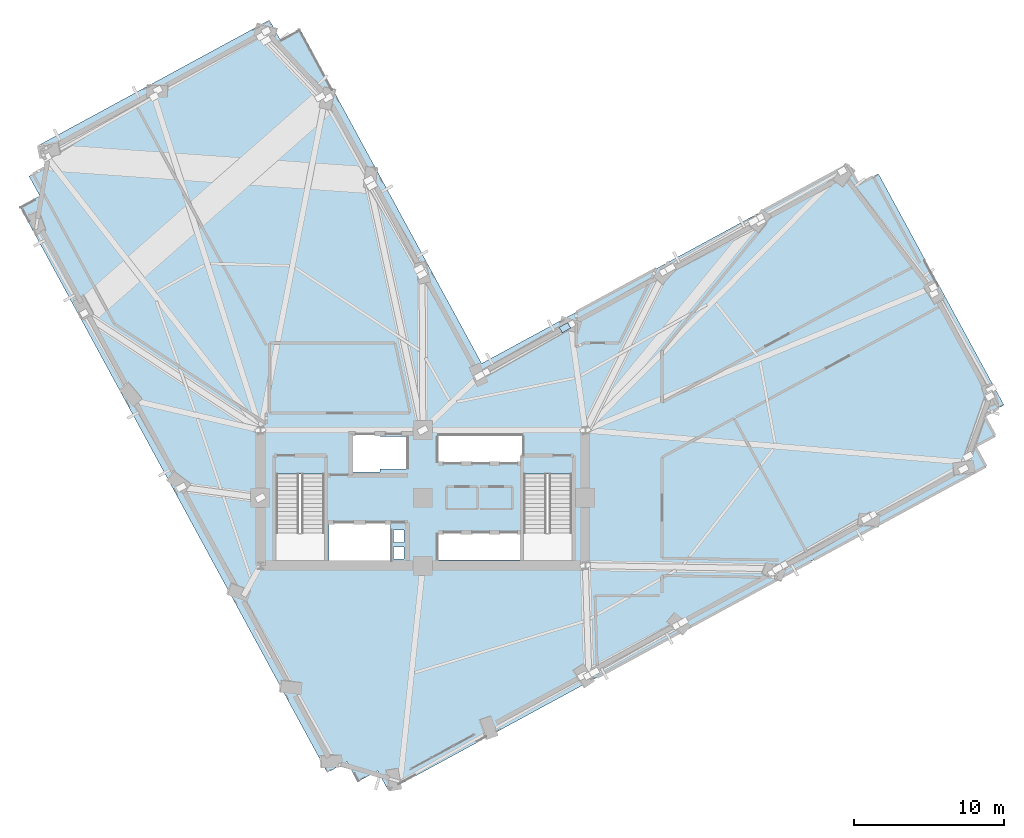
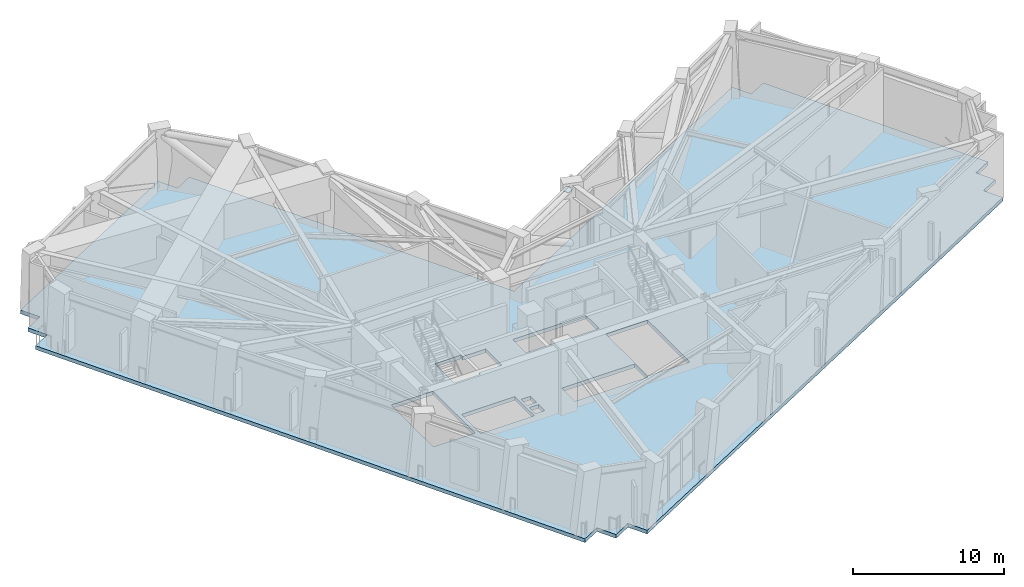
# One storey, part 6 of 15: 1 plate, 1 slab.
"""IFC4 building model written with IfcOpenShell, lengths in metres."""

from ifc_helpers import new_model, si_unit, direction, frame, origin, origin_2d, place, context, subcontext, project, spatial, polyline, rectangle, outline, extrude, material, layer, layer_set, type_object, element, save


model = new_model("IFC4")

# Units and contexts
model_context = context("Model", 3, precision=1e-05, world=origin(), true_north=direction((0.0, 1.0)))
body_context = subcontext(model_context, "Body", "Model", "MODEL_VIEW")
ifc_project = project(units=[si_unit("LENGTHUNIT", "METRE"), si_unit("AREAUNIT", "SQUARE_METRE"), si_unit("VOLUMEUNIT", "CUBIC_METRE"), si_unit("PLANEANGLEUNIT", "RADIAN"), si_unit("MASSUNIT", "GRAM", prefix="KILO")], contexts=[model_context])

# Site, building, storey
site_placement = place(None, origin())
site = spatial("IfcSite", under=ifc_project, at=site_placement, CompositionType="ELEMENT")
building_placement = place(site_placement, origin())
building = spatial("IfcBuilding", under=site, at=building_placement, Name="Gaonmaruhae Medical Tower", CompositionType="ELEMENT")
storey_placement = place(building_placement, frame((0.0, 0.0, 144.39990234375)))
storey = spatial("IfcBuildingStorey", under=building, at=storey_placement, Name="L34", CompositionType="ELEMENT", Elevation=144.39990234375)

# Slab
ifc_material_1 = material(Name="Concrete C40/50", Category="concrete")
ifc_layer_1 = layer(ifc_material_1, 0.300048828125)
ifc_layer_set_1 = layer_set([ifc_layer_1], Name="Concrete C40/50")
slab_type = type_object("IfcSlabType", Name="FS-300 Refuge & Plant Heavy Floor Slab", PredefinedType="FLOOR", material=ifc_layer_set_1)
slab_placement = place(storey_placement, frame((0.0, 0.0, -0.2998046875)))
element("IfcSlab", 1, at=slab_placement, inside=storey, type_object=slab_type, Name="L34 Structural Slab 1", PredefinedType="FLOOR", context=body_context, shape_type="SweptSolid", body=[
    extrude(outline(polyline([(22.5087890625, -7.166015625), (62.231201171875, 14.401611328125), (61.515625, 15.7197265625), (62.833740234375, 16.435546875), (62.1181640625, 17.75390625), (63.436279296875, 18.469482421875), (55.0859375, 33.848876953125), (53.767822265625, 33.133056640625), (53.052001953125, 34.451416015625), (28.708740234375, 21.23388671875), (16.63671875, 43.468017578125), (15.318603515625, 42.752197265625), (14.602783203125, 44.070556640625), (-0.776611328125, 35.72021484375), (-0.060791015625, 34.402099609375), (-1.37890625, 33.686279296875), (-0.663330078125, 32.3681640625), (-1.9814453125, 31.65234375), (18.44091796875, -5.9609375), (19.759033203125, -5.245361328125), (20.474853515625, -6.5634765625), (21.793212890625, -5.847900390625), (22.5087890625, -7.166015625)]), holes=[polyline([(23.550048828125, 8.25), (22.85009765625, 8.25), (22.85009765625, 9.050048828125), (23.550048828125, 9.050048828125), (23.550048828125, 8.25)]), polyline([(25.824951171875, 9.925048828125), (31.425048828125, 9.925048828125), (31.425048828125, 8.175048828125), (25.824951171875, 8.175048828125), (25.824951171875, 9.925048828125)]), polyline([(22.64990234375, 10.625), (22.64990234375, 8.074951171875), (18.550048828125, 8.074951171875), (18.550048828125, 10.625), (22.64990234375, 10.625)]), polyline([(23.550048828125, 9.35009765625), (22.85009765625, 9.35009765625), (22.85009765625, 10.14990234375), (23.550048828125, 10.14990234375), (23.550048828125, 9.35009765625)]), polyline([(15.050048828125, 13.889892578125), (18.25, 13.889892578125), (18.25, 8.300048828125), (15.050048828125, 8.300048828125), (15.050048828125, 13.889892578125)]), polyline([(31.5, 13.889892578125), (34.699951171875, 13.889892578125), (34.699951171875, 8.300048828125), (31.5, 8.300048828125), (31.5, 13.889892578125)]), polyline([(21.949951171875, 14.22509765625), (21.949951171875, 14.02490234375), (19.949951171875, 14.02490234375), (19.949951171875, 16.574951171875), (21.949951171875, 16.574951171875), (21.949951171875, 16.375), (23.72509765625, 16.375), (23.72509765625, 14.22509765625), (21.949951171875, 14.22509765625)]), polyline([(25.824951171875, 16.425048828125), (31.425048828125, 16.425048828125), (31.425048828125, 14.675048828125), (25.824951171875, 14.675048828125), (25.824951171875, 16.425048828125)])]), origin(), (0.0, 0.0, 1.0), 0.2998046875),
])

# Plate
ifc_material_2 = material(Name="Steel HSA650 (650 MPa)", Category="steel")
ifc_layer_2 = layer(ifc_material_2, 0.035888671875)
ifc_layer_set_2 = layer_set([ifc_layer_2], Name="Steel HSA650 (650 MPa)")
plate_type = type_object("IfcPlateType", Name="GP-01 Outrigger Gusset & End Cap Plate", PredefinedType="USERDEFINED", material=ifc_layer_set_2)
plate_placement = place(storey_placement, frame((34.246337890625, 23.614501953125, 4.81201171875), z_axis=(0.0, 0.0, 1.0), x_axis=(0.8707850851, 0.491663844071, 0.0)))
element("IfcPlate", 2, at=plate_placement, inside=storey, type_object=plate_type, Name="L34 Gusset Cap Plate PLT-L34-BTC05A", ObjectType="GUSSET_PLATE", PredefinedType="USERDEFINED", context=body_context, shape_type="SweptSolid", body=[
    extrude(rectangle(XDim=0.64990234375, YDim=0.419921875, at=origin_2d()), origin(), (0.0, 0.0, 1.0), 0.035888671875),
])

save(model, "model.ifc")
